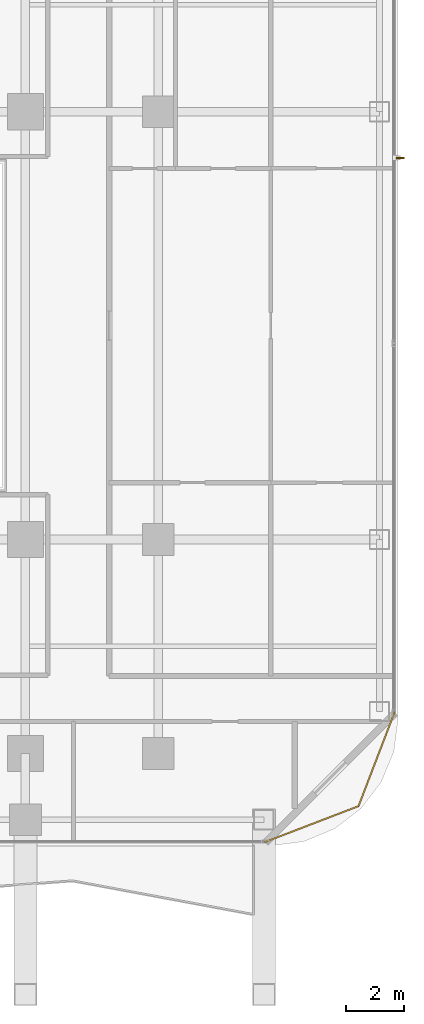
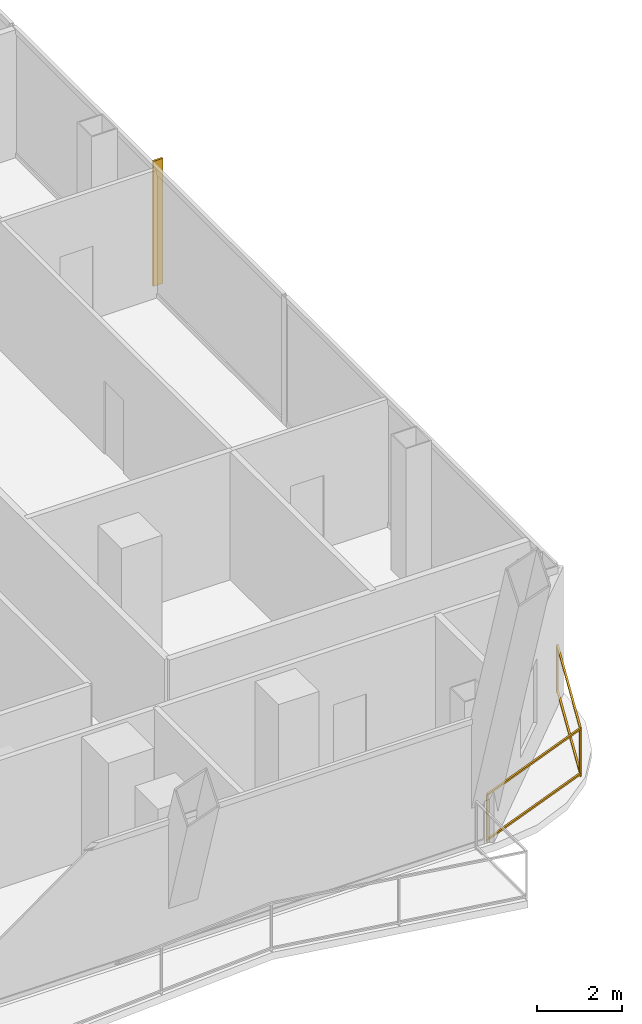
# One storey, part 27 of 30: 1 railing, 1 shading device.
"""IFC4 building model written with IfcOpenShell, lengths in metres."""

from ifc_helpers import new_model, si_unit, direction, frame, origin, origin_2d, place, context, subcontext, project, spatial, rectangle, extrude, material, layer, layer_set, type_object, element, save


model = new_model("IFC4")

# Units and contexts
model_context = context("Model", 3, precision=1e-05, world=origin(), true_north=direction((0.0, 1.0)))
body_context = subcontext(model_context, "Body", "Model", "MODEL_VIEW")
ifc_project = project(units=[si_unit("LENGTHUNIT", "METRE"), si_unit("AREAUNIT", "SQUARE_METRE"), si_unit("VOLUMEUNIT", "CUBIC_METRE"), si_unit("PLANEANGLEUNIT", "RADIAN"), si_unit("MASSUNIT", "GRAM", prefix="KILO")], contexts=[model_context])

# Site, building, storey
site_placement = place(None, origin())
site = spatial("IfcSite", under=ifc_project, at=site_placement, CompositionType="ELEMENT")
building_placement = place(site_placement, origin())
building = spatial("IfcBuilding", under=site, at=building_placement, Name="Khorvyn Point Tower", CompositionType="ELEMENT")
storey_placement = place(building_placement, frame((0.0, 0.0, 117.300048828125)))
storey = spatial("IfcBuildingStorey", under=building, at=storey_placement, Name="L29", CompositionType="ELEMENT", Elevation=117.300048828125)

# Railing
ifc_material_1 = material(Name="Anodised aluminium 6063-T6 and laminated safety glass", Category="aluminium")
railing_type = type_object("IfcRailingType", Name="Laminated Glass and Aluminium Balcony Guardrail 1400", PredefinedType="BALUSTRADE", material=ifc_material_1)
railing_placement = place(storey_placement, frame((23.075927734375, -17.8740234375, 0.0)))
element("IfcRailing", 1, at=railing_placement, inside=storey, type_object=railing_type, Name="L29 Rounded Corner Edge Guardrail SE", PredefinedType="BALUSTRADE", context=body_context, shape_type="SweptSolid", body=[
    extrude(rectangle(XDim=0.048095703125, YDim=0.048095703125, at=origin_2d()), frame((0.0, 0.0, 1.3759765625), z_axis=(0.933598390295, 0.358321148746, 0.0), x_axis=(-0.358321148746, 0.933598390295, 0.0)), (0.0, 0.0, 1.0), 3.481689453125),
    extrude(rectangle(XDim=0.048095703125, YDim=0.048095703125, at=origin_2d()), frame((0.0, 0.0, 0.080078125), z_axis=(0.933598390295, 0.358321148746, 0.0), x_axis=(-0.358321148746, 0.933598390295, 0.0)), (0.0, 0.0, 1.0), 3.481689453125),
    extrude(rectangle(XDim=0.048095703125, YDim=0.048095703125, at=origin_2d()), frame((3.25048828125, 1.24755859375, 1.3759765625), z_axis=(0.358382264808, 0.933574931257, 0.0), x_axis=(-0.933574931257, 0.358382264808, 0.0)), (0.0, 0.0, 1.0), 3.481689453125),
    extrude(rectangle(XDim=0.048095703125, YDim=0.048095703125, at=origin_2d()), frame((3.25048828125, 1.24755859375, 0.080078125), z_axis=(0.358382264808, 0.933574931257, 0.0), x_axis=(-0.933574931257, 0.358382264808, 0.0)), (0.0, 0.0, 1.0), 3.481689453125),
    extrude(rectangle(XDim=0.0419921875, YDim=0.0419921875, at=origin_2d()), origin(), (0.0, 0.0, 1.0), 1.351806640625),
    extrude(rectangle(XDim=0.0419921875, YDim=0.0419921875, at=origin_2d()), frame((3.25048828125, 1.24755859375, 0.0)), (0.0, 0.0, 1.0), 1.351806640625),
    extrude(rectangle(XDim=0.0419921875, YDim=0.0419921875, at=origin_2d()), frame((4.498291015625, 4.498046875, 0.0)), (0.0, 0.0, 1.0), 1.351806640625),
])

# Shading device
ifc_material_2 = material(Name="Pale anodised aluminium 6063-T6", Category="aluminium")
ifc_layer = layer(ifc_material_2, 0.054931640625)
ifc_layer_set = layer_set([ifc_layer], Name="Pale Anodised Aluminium FIN 260x55")
shading_device_type = type_object("IfcShadingDeviceType", Name="Pale Anodised Aluminium FIN 260x55", PredefinedType="USERDEFINED", material=ifc_layer_set)
shading_device_placement = place(storey_placement, frame((27.77001953125, 5.800048828125, 0.039794921875), z_axis=(0.0, 0.0, 1.0), x_axis=(1.0, 0.0, 0.0)))
element("IfcShadingDevice", 2, at=shading_device_placement, inside=storey, type_object=shading_device_type, Name="L29 Anodised FIN 01", ObjectType="FIN", PredefinedType="USERDEFINED", context=body_context, shape_type="SweptSolid", body=[
    extrude(rectangle(XDim=0.260009765625, YDim=0.054931640625, at=origin_2d()), origin(), (0.0, 0.0, 1.0), 3.60009765625),
])

save(model, "model.ifc")
